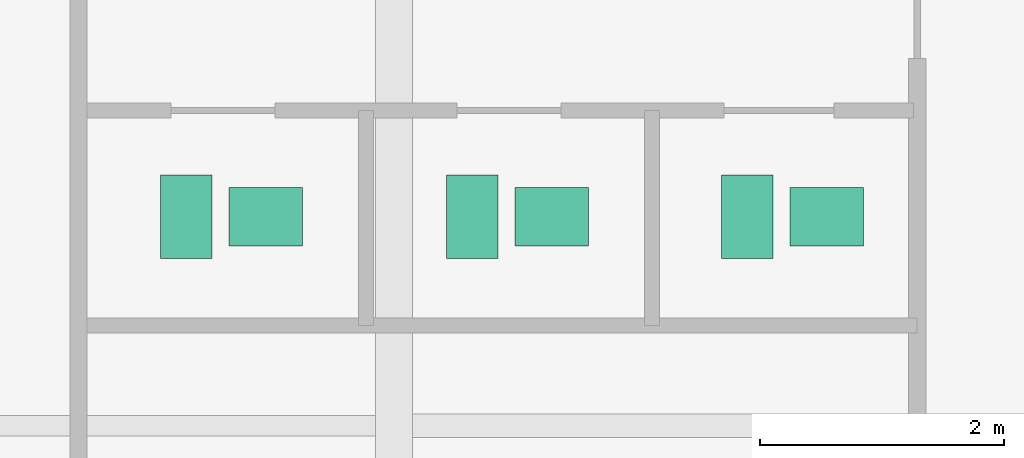
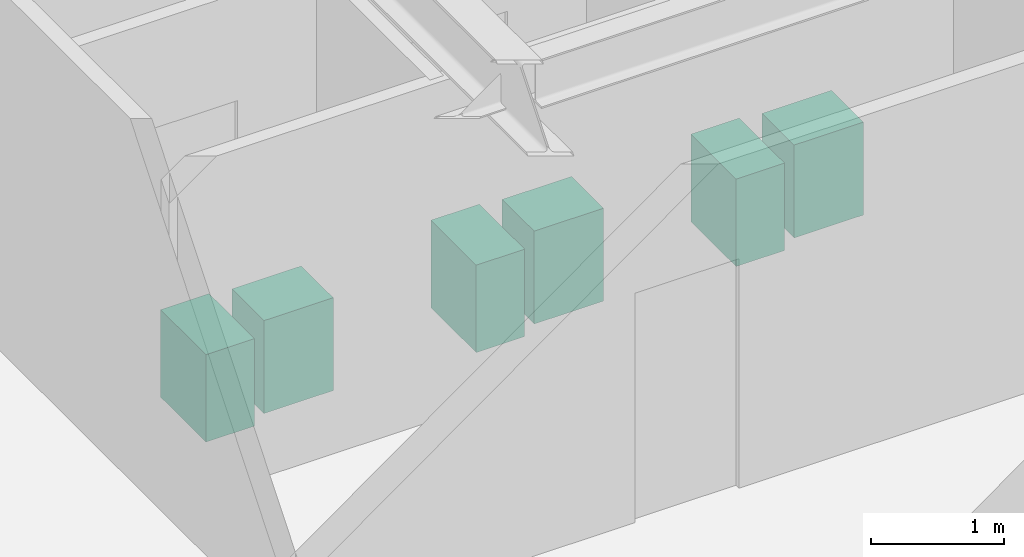
# One storey, part 25 of 25: 6 sanitary terminals.
"""IFC4 building model written with IfcOpenShell, lengths in metres."""

import ifcopenshell
import ifcopenshell.guid

model = None  # the IFC model being written
_history = None  # IfcOwnerHistory: only IFC2X3 demands one
_inside = {}  # id of a spatial element -> (the spatial element, [elements in it])
_under = {}  # id of a project, library or spatial element -> (it, [spatial elements below it])
_declared = {}  # id of a project -> (the project, [libraries it declares])
_typed = {}  # id of a type object -> (the type object, [elements of that type])
_made_of = {}  # id of a material, layer set ... -> (it, [elements and type objects made of it])


def new_model(schema):
    """Start an empty IFC model of exactly this schema.

    Asked for "IFC4X3", IfcOpenShell would pick the latest addendum, in which some entities
    have other attributes; the version numbers below select the first issue.
    IFC2X3 requires an IfcOwnerHistory on every rooted entity: one is made here for all.
    """
    global model, _history
    if schema == "IFC4X3":
        model = ifcopenshell.file(schema_version=(4, 3, 0, 0))
    else:
        model = ifcopenshell.file(schema=schema)
    _inside.clear()
    _under.clear()
    _declared.clear()
    _typed.clear()
    _made_of.clear()
    _history = None
    if model.schema == "IFC2X3":
        org = make("IfcOrganization", Name="unknown")
        user = make(
            "IfcPersonAndOrganization",
            ThePerson=make("IfcPerson", FamilyName="unknown"),
            TheOrganization=org,
        )
        app = make(
            "IfcApplication",
            ApplicationDeveloper=org,
            Version="unknown",
            ApplicationFullName="unknown",
            ApplicationIdentifier="unknown",
        )
        _history = make(
            "IfcOwnerHistory",
            OwningUser=user,
            OwningApplication=app,
            ChangeAction="ADDED",
            CreationDate=0,
        )
    return model


def make(cls, **values):
    """One entity of the class cls with the attributes given. An attribute that is None is left unset."""
    return model.create_entity(
        cls, **{name: value for name, value in values.items() if value is not None}
    )


def rooted(cls, **values):
    """An entity with a GlobalId (a new one), such as an element, a storey or a relation."""
    return make(cls, GlobalId=ifcopenshell.guid.new(), OwnerHistory=_history, **values)


def si_unit(unit_type, name, prefix=None):
    """IfcSIUnit, for example si_unit("LENGTHUNIT", "METRE", prefix="MILLI")."""
    return make("IfcSIUnit", UnitType=unit_type, Prefix=prefix, Name=name)


def assignment(units):
    """IfcUnitAssignment: the units of a project."""
    return None if units is None else make("IfcUnitAssignment", Units=units)


def point(xyz):
    """IfcCartesianPoint."""
    return None if xyz is None else make("IfcCartesianPoint", Coordinates=xyz)


def direction(xyz):
    """IfcDirection."""
    return None if xyz is None else make("IfcDirection", DirectionRatios=xyz)


def frame(location, z_axis=None, x_axis=None):
    """IfcAxis2Placement3D, a coordinate frame: its origin and axes. An axis left out is left unset."""
    return make(
        "IfcAxis2Placement3D",
        Location=point(location),
        Axis=direction(z_axis),
        RefDirection=direction(x_axis),
    )


def frame_2d(location, x_axis=None):
    """IfcAxis2Placement2D, a coordinate frame in the plane: its origin and x axis."""
    return make(
        "IfcAxis2Placement2D", Location=point(location), RefDirection=direction(x_axis)
    )


def origin():
    """The frame at (0, 0, 0) with its axes left unset."""
    return frame((0.0, 0.0, 0.0))


def origin_2d():
    """The frame at (0, 0) in the plane with its x axis left unset."""
    return frame_2d((0.0, 0.0))


def place(relative_to, where):
    """IfcLocalPlacement: puts the frame where relative to a parent placement (None: the world)."""
    return make(
        "IfcLocalPlacement", PlacementRelTo=relative_to, RelativePlacement=where
    )


def context(
    kind, dimensions, precision=None, world=None, true_north=None, identifier=None
):
    """IfcGeometricRepresentationContext, for example the 3D "Model" context."""
    return make(
        "IfcGeometricRepresentationContext",
        ContextIdentifier=identifier,
        ContextType=kind,
        CoordinateSpaceDimension=dimensions,
        Precision=precision,
        WorldCoordinateSystem=world,
        TrueNorth=true_north,
    )


def subcontext(parent, identifier, kind, view, scale=None):
    """IfcGeometricRepresentationSubContext, for example "Body" below "Model"."""
    return make(
        "IfcGeometricRepresentationSubContext",
        ContextIdentifier=identifier,
        ContextType=kind,
        ParentContext=parent,
        TargetScale=scale,
        TargetView=view,
    )


def project(units=None, contexts=None):
    """IfcProject with its units and contexts."""
    return rooted(
        "IfcProject",
        Name="project",
        RepresentationContexts=contexts,
        UnitsInContext=assignment(units),
    )


def spatial(cls, under=None, at=None, **own):
    """A site, building, storey or space (cls), placed at a placement, below another one or the project."""
    s = rooted(cls, ObjectPlacement=at, **own)
    if under is not None:
        _under.setdefault(under.id(), (under, []))[1].append(s)
    return s


def profile(cls, at=None, kind="AREA", **sizes):
    """A parametric profile (cls). Its sizes go by their IFC names, for example OverallWidth=200.0."""
    return make(cls, ProfileType=kind, Position=at, **sizes)


def rectangle(**sizes):
    """IfcRectangleProfileDef."""
    return profile("IfcRectangleProfileDef", **sizes)


def extrude(swept, where, along, depth):
    """IfcExtrudedAreaSolid: the profile swept, set in the frame where, extruded along a direction by depth."""
    return make(
        "IfcExtrudedAreaSolid",
        SweptArea=swept,
        Position=where,
        ExtrudedDirection=direction(along),
        Depth=depth,
    )


def shape(context_of_items, identifier, shape_type, items):
    """IfcShapeRepresentation: the items that make up one representation, for example the "Body"."""
    return make(
        "IfcShapeRepresentation",
        ContextOfItems=context_of_items,
        RepresentationIdentifier=identifier,
        RepresentationType=shape_type,
        Items=items,
    )


def source(mapping_origin, context_of_items, identifier, shape_type, items):
    """IfcRepresentationMap: a shape defined once, which mapped items show again and again."""
    return make(
        "IfcRepresentationMap",
        MappingOrigin=mapping_origin,
        MappedRepresentation=shape(context_of_items, identifier, shape_type, items),
    )


def transform(
    local_origin,
    x_axis=None,
    y_axis=None,
    z_axis=None,
    scale=None,
    scale2=None,
    scale3=None,
    uniform=True,
):
    """IfcCartesianTransformationOperator3D, or its non-uniform kind. x_axis, y_axis, z_axis: its Axis1, 2, 3."""
    if uniform:
        return make(
            "IfcCartesianTransformationOperator3D",
            Axis1=direction(x_axis),
            Axis2=direction(y_axis),
            LocalOrigin=point(local_origin),
            Scale=scale,
            Axis3=direction(z_axis),
        )
    return make(
        "IfcCartesianTransformationOperator3DnonUniform",
        Axis1=direction(x_axis),
        Axis2=direction(y_axis),
        LocalOrigin=point(local_origin),
        Scale=scale,
        Axis3=direction(z_axis),
        Scale2=scale2,
        Scale3=scale3,
    )


def mapped(mapping_source, mapping_target):
    """IfcMappedItem: shows the shape of a source again, moved by a transform."""
    return make(
        "IfcMappedItem", MappingSource=mapping_source, MappingTarget=mapping_target
    )


def material(Name=None, Category=None):
    """IfcMaterial."""
    return make("IfcMaterial", Name=Name, Category=Category)


def made_of(thing, what):
    """Note that an element or type object is made of a material, layer set ...; save() writes the relation."""
    if what is not None:
        _made_of.setdefault(what.id(), (what, []))[1].append(thing)
    return thing


def type_object(cls, material=None, **own):
    """A type object (cls), such as IfcWallType, which elements share."""
    return made_of(rooted(cls, **own), material)


def type_shapes(of_type, sources):
    """Give a type object the sources (RepresentationMaps) that its elements show as mapped items."""
    of_type.RepresentationMaps = sources


def element(
    cls,
    number,
    at=None,
    inside=None,
    cuts=None,
    type_object=None,
    material=None,
    context=None,
    identifier="Body",
    shape_type=None,
    held_by="IfcProductDefinitionShape",
    body=None,
    shapes=None,
    **own,
):
    """One element of the class cls, such as IfcWall. Its Tag is "e" and its number.

    at: its placement. inside: the storey or other place that contains it. cuts: it is an
    opening in that element (IfcRelVoidsElement). A single representation is given by context,
    identifier, shape_type and body (its items); several are given by shapes. held_by: the class
    of the entity that holds the representations. save() writes the other relations.
    """
    e = rooted(cls, Tag="e%d" % number, ObjectPlacement=at, **own)
    if body is not None:
        shapes = [shape(context, identifier, shape_type, body)]
    if shapes is not None:
        e.Representation = make(held_by, Representations=shapes)
    if inside is not None:
        _inside.setdefault(inside.id(), (inside, []))[1].append(e)
    if cuts is not None:
        rooted(
            "IfcRelVoidsElement", RelatingBuildingElement=cuts, RelatedOpeningElement=e
        )
    if type_object is not None:
        _typed.setdefault(type_object.id(), (type_object, []))[1].append(e)
    return made_of(e, material)


def aggregate(whole, parts):
    """IfcRelAggregates: a whole, such as a stair, and the parts it consists of."""
    return rooted("IfcRelAggregates", RelatingObject=whole, RelatedObjects=parts)


def save(model, path):
    """Write the relations noted so far, then the file.

    IfcRelAggregates (storeys below a building ...), IfcRelContainedInSpatialStructure (elements
    in a storey), IfcRelDefinesByType, IfcRelAssociatesMaterial and IfcRelDeclares: one each for
    every whole, place, type object, material and project.
    """
    for whole, parts in _under.values():
        aggregate(whole, parts)
    for where, things in _inside.values():
        rooted(
            "IfcRelContainedInSpatialStructure",
            RelatedElements=things,
            RelatingStructure=where,
        )
    for kind, things in _typed.values():
        rooted("IfcRelDefinesByType", RelatedObjects=things, RelatingType=kind)
    for what, things in _made_of.values():
        rooted("IfcRelAssociatesMaterial", RelatedObjects=things, RelatingMaterial=what)
    for by, libraries in _declared.values():
        rooted("IfcRelDeclares", RelatingContext=by, RelatedDefinitions=libraries)
    model.write(path)


model = new_model("IFC4")

# Units and contexts
model_context = context("Model", 3, precision=1e-05, world=origin(), true_north=direction((0.0, 1.0)))
body_context = subcontext(model_context, "Body", "Model", "MODEL_VIEW")
ifc_project = project(units=[si_unit("LENGTHUNIT", "METRE"), si_unit("AREAUNIT", "SQUARE_METRE"), si_unit("VOLUMEUNIT", "CUBIC_METRE"), si_unit("PLANEANGLEUNIT", "RADIAN"), si_unit("MASSUNIT", "GRAM", prefix="KILO")], contexts=[model_context])

# Site, building, storey
site_placement = place(None, origin())
site = spatial("IfcSite", under=ifc_project, at=site_placement, CompositionType="ELEMENT")
building_placement = place(site_placement, origin())
building = spatial("IfcBuilding", under=site, at=building_placement, Name="Krantzveldt Concourse Tower", CompositionType="ELEMENT")
storey_placement = place(building_placement, frame((0.0, 0.0, 146.199951171875)))
storey = spatial("IfcBuildingStorey", under=building, at=storey_placement, Name="L35", CompositionType="ELEMENT", Elevation=146.199951171875)

# Sanitary terminals
ifc_material = material(Name="Vitreous china", Category="ceramic")
sanitary_terminal_type_1 = type_object("IfcSanitaryTerminalType", Name="SAN-WC-SUITE", PredefinedType="TOILETPAN", material=ifc_material)
shared_shape_1 = source(origin(), body_context, "Body", "SweptSolid", [
    extrude(rectangle(XDim=0.419921875, YDim=0.679931640625, at=origin_2d()), origin(), (0.0, 0.0, 1.0), 0.800048828125),
])
type_shapes(sanitary_terminal_type_1, [shared_shape_1])
for number, where, z_axis, x_axis, name in (
    (1, (28.89990234375, 31.909912109375, 0.0), (0.0, 0.0, 1.0), (1.0, 0.0, 0.0), "WC-SP-L35-WCM"),
    (2, (31.239990234375, 31.909912109375, 0.0), (0.0, 0.0, 1.0), (1.0, 0.0, 0.0), "WC-SP-L35-WCF"),
    (3, (33.489990234375, 31.909912109375, 0.0), (0.0, 0.0, 1.0), (1.0, 0.0, 0.0), "WC-SP-L35-WCA"),
):
    element("IfcSanitaryTerminal", number, at=place(storey_placement, frame(where, z_axis=z_axis, x_axis=x_axis)), inside=storey, type_object=sanitary_terminal_type_1, Name=name, PredefinedType="TOILETPAN", context=body_context, shape_type="MappedRepresentation", body=[
        mapped(shared_shape_1, transform((0.0, 0.0, 0.0), x_axis=(1.0, 0.0, 0.0), y_axis=(0.0, 1.0, 0.0), z_axis=(0.0, 0.0, 1.0), scale=1.0)),
    ])
sanitary_terminal_type_2 = type_object("IfcSanitaryTerminalType", Name="SAN-BASIN-600", PredefinedType="WASHHANDBASIN", material=ifc_material)
shared_shape_2 = source(origin(), body_context, "Body", "SweptSolid", [
    extrude(rectangle(XDim=0.60009765625, YDim=0.47998046875, at=origin_2d()), origin(), (0.0, 0.0, 1.0), 0.85009765625),
])
type_shapes(sanitary_terminal_type_2, [shared_shape_2])
for number, where, z_axis, x_axis, name in (
    (4, (29.550048828125, 31.909912109375, 0.0048828125), (0.0, 0.0, 1.0), (1.0, 0.0, 0.0), "BSN-SP-L35-WCM"),
    (5, (31.889892578125, 31.909912109375, 0.0048828125), (0.0, 0.0, 1.0), (1.0, 0.0, 0.0), "BSN-SP-L35-WCF"),
    (6, (34.139892578125, 31.909912109375, 0.0048828125), (0.0, 0.0, 1.0), (1.0, 0.0, 0.0), "BSN-SP-L35-WCA"),
):
    element("IfcSanitaryTerminal", number, at=place(storey_placement, frame(where, z_axis=z_axis, x_axis=x_axis)), inside=storey, type_object=sanitary_terminal_type_2, Name=name, PredefinedType="WASHHANDBASIN", context=body_context, shape_type="MappedRepresentation", body=[
        mapped(shared_shape_2, transform((0.0, 0.0, 0.0), x_axis=(1.0, 0.0, 0.0), y_axis=(0.0, 1.0, 0.0), z_axis=(0.0, 0.0, 1.0), scale=1.0)),
    ])

save(model, "model.ifc")
